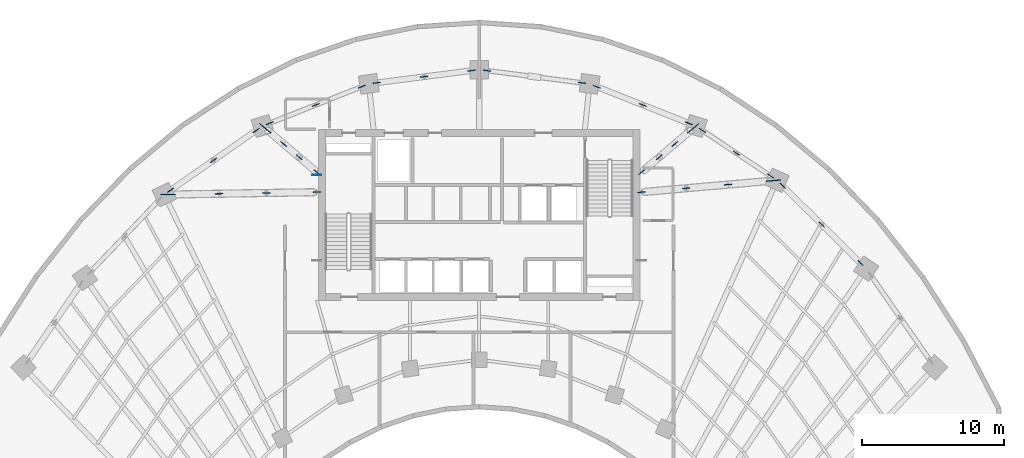
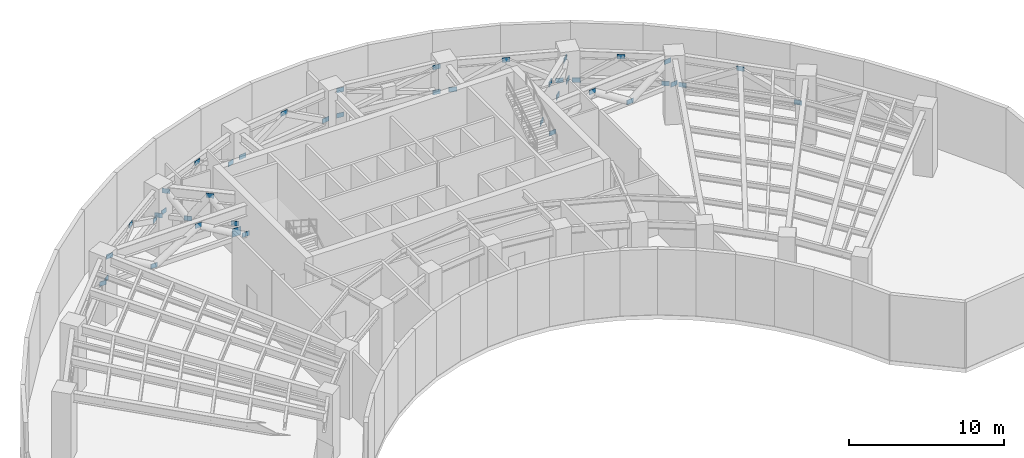
# One storey, part 5 of 10: 43 plates.
"""IFC4 building model written with IfcOpenShell, lengths in metres."""

from ifc_helpers import new_model, si_unit, direction, frame, origin, origin_2d, place, context, subcontext, project, spatial, rectangle, extrude, source, transform, mapped, material, layer, layer_set, type_object, type_shapes, element, save


model = new_model("IFC4")

# Units and contexts
model_context = context("Model", 3, precision=1e-05, world=origin(), true_north=direction((0.0, 1.0)))
body_context = subcontext(model_context, "Body", "Model", "MODEL_VIEW")
ifc_project = project(units=[si_unit("LENGTHUNIT", "METRE"), si_unit("AREAUNIT", "SQUARE_METRE"), si_unit("VOLUMEUNIT", "CUBIC_METRE"), si_unit("PLANEANGLEUNIT", "RADIAN"), si_unit("MASSUNIT", "GRAM", prefix="KILO")], contexts=[model_context])

# Site, building, storey
site_placement = place(None, origin())
site = spatial("IfcSite", under=ifc_project, at=site_placement, CompositionType="ELEMENT")
building_placement = place(site_placement, origin())
building = spatial("IfcBuilding", under=site, at=building_placement, Name="Breltana Convention Tower", CompositionType="ELEMENT")
storey_placement = place(building_placement, frame((0.0, 0.0, 85.800048828125)))
storey = spatial("IfcBuildingStorey", under=building, at=storey_placement, Name="L20", CompositionType="ELEMENT", Elevation=85.800048828125)

# Plates
ifc_material = material(Name="Steel S355", Category="steel")
ifc_layer_1 = layer(ifc_material, 0.0400390625, Name="Steel S355")
ifc_layer_set_1 = layer_set([ifc_layer_1], Name="Steel S355")
plate_type_1 = type_object("IfcPlateType", Name="PL-GUSSET-40", PredefinedType="USERDEFINED", material=ifc_layer_set_1)
shared_shape_1 = source(origin(), body_context, "Body", "SweptSolid", [
    extrude(rectangle(XDim=0.52001953125, YDim=0.0400390625, at=origin_2d()), origin(), (0.0, 0.0, 1.0), 0.360107421875),
])
for number, where, z_axis, x_axis, name in (
    (1, (36.60009765625, 67.800048828125, 2.56982421875), (0.0, 0.0, 1.0), (-0.999868271089, -0.016230849315, 0.0), "L20 Structural Brace Node Gusset Plate 001"),
    (2, (25.8876953125, 67.626953125, 2.56982421875), (0.0, 0.0, 1.0), (-0.999868271089, -0.016230849315, 0.0), "L20 Structural Brace Node Gusset Plate 002"),
    (3, (33.0625, 67.742919921875, 4.5419921875), (0.0, 0.0, 1.0), (-0.999868271089, -0.016230849315, 0.0), "L20 Structural Brace Node Gusset Plate 003"),
    (4, (29.72509765625, 67.68896484375, 2.56982421875), (0.0, 0.0, 1.0), (-0.999868271089, -0.016230849315, 0.0), "L20 Structural Brace Node Gusset Plate 004"),
    (5, (26.3876953125, 67.635009765625, 4.5419921875), (0.0, 0.0, 1.0), (-0.999868271089, -0.016230849315, 0.0), "L20 Structural Brace Node Gusset Plate 005"),
    (6, (36.60009765625, 69.199951171875, 2.56982421875), (0.0, 0.0, 1.0), (-0.761425177676, 0.648252804699, 0.0), "L20 Structural Brace Node Gusset Plate 006"),
    (7, (32.791015625, 72.4423828125, 2.56982421875), (0.0, 0.0, 1.0), (-0.761425177676, 0.648252804699, 0.0), "L20 Structural Brace Node Gusset Plate 007"),
    (8, (35.355712890625, 70.25927734375, 4.5419921875), (0.0, 0.0, 1.0), (-0.761425177676, 0.648252804699, 0.0), "L20 Structural Brace Node Gusset Plate 008"),
    (9, (34.263671875, 71.188720703125, 2.56982421875), (0.0, 0.0, 1.0), (-0.761425177676, 0.648252804699, 0.0), "L20 Structural Brace Node Gusset Plate 009"),
    (10, (33.171630859375, 72.118408203125, 4.5419921875), (0.0, 0.0, 1.0), (-0.761425177676, 0.648252804699, 0.0), "L20 Structural Brace Node Gusset Plate 010"),
    (11, (59.39990234375, 69.199951171875, 2.56982421875), (0.0, 0.0, 1.0), (0.761425177676, 0.648252804699, 0.0), "L20 Structural Brace Node Gusset Plate 011"),
    (12, (63.208984375, 72.4423828125, 2.56982421875), (0.0, 0.0, 1.0), (0.761425177676, 0.648252804699, 0.0), "L20 Structural Brace Node Gusset Plate 012"),
    (13, (60.644287109375, 70.25927734375, 4.5419921875), (0.0, 0.0, 1.0), (0.761425177676, 0.648252804699, 0.0), "L20 Structural Brace Node Gusset Plate 013"),
    (14, (61.736328125, 71.188720703125, 2.56982421875), (0.0, 0.0, 1.0), (0.761425177676, 0.648252804699, 0.0), "L20 Structural Brace Node Gusset Plate 014"),
    (15, (62.828369140625, 72.118408203125, 4.5419921875), (0.0, 0.0, 1.0), (0.761425177676, 0.648252804699, 0.0), "L20 Structural Brace Node Gusset Plate 015"),
    (16, (59.39990234375, 67.800048828125, 2.56982421875), (0.0, 0.0, 1.0), (0.996179471372, 0.087329610194, 0.0), "L20 Structural Brace Node Gusset Plate 016"),
    (17, (68.910400390625, 68.63330078125, 2.56982421875), (0.0, 0.0, 1.0), (0.996179471372, 0.087329610194, 0.0), "L20 Structural Brace Node Gusset Plate 017"),
    (18, (62.537109375, 68.074951171875, 4.5419921875), (0.0, 0.0, 1.0), (0.996179471372, 0.087329610194, 0.0), "L20 Structural Brace Node Gusset Plate 018"),
    (19, (65.474609375, 68.332275390625, 2.56982421875), (0.0, 0.0, 1.0), (0.996179471372, 0.087329610194, 0.0), "L20 Structural Brace Node Gusset Plate 019"),
    (20, (68.412353515625, 68.589599609375, 4.5419921875), (0.0, 0.0, 1.0), (0.996179471372, 0.087329610194, 0.0), "L20 Structural Brace Node Gusset Plate 020"),
    (21, (26.3388671875, 67.941650390625, 2.56982421875), (0.0, 0.0, 1.0), (0.820151875874, 0.572145873446, 0.0), "L20 Structural Brace Node Gusset Plate 027"),
    (22, (29.33935546875, 70.034912109375, 4.5419921875), (0.0, 0.0, 1.0), (0.820151875874, 0.572145873446, 0.0), "L20 Structural Brace Node Gusset Plate 028"),
    (23, (32.33984375, 72.127685546875, 2.56982421875), (0.0, 0.0, 1.0), (0.820151875874, 0.572145873446, 0.0), "L20 Structural Brace Node Gusset Plate 029"),
    (24, (33.30224609375, 72.6455078125, 2.56982421875), (0.0, 0.0, 1.0), (0.929454882621, 0.36893579546, 0.0), "L20 Structural Brace Node Gusset Plate 030"),
    (25, (36.522216796875, 73.923583984375, 4.5419921875), (0.0, 0.0, 1.0), (0.929454882621, 0.36893579546, 0.0), "L20 Structural Brace Node Gusset Plate 031"),
    (26, (39.741943359375, 75.201416015625, 2.56982421875), (0.0, 0.0, 1.0), (0.929454882621, 0.36893579546, 0.0), "L20 Structural Brace Node Gusset Plate 032"),
    (27, (40.798583984375, 75.474853515625, 2.56982421875), (0.0, 0.0, 1.0), (0.99178318013, 0.127930151302, 0.0), "L20 Structural Brace Node Gusset Plate 033"),
    (28, (44.126708984375, 75.904296875, 4.5419921875), (0.0, 0.0, 1.0), (0.99178318013, 0.127930151302, 0.0), "L20 Structural Brace Node Gusset Plate 034"),
    (29, (47.45458984375, 76.33349609375, 2.56982421875), (0.0, 0.0, 1.0), (0.99178318013, 0.127930151302, 0.0), "L20 Structural Brace Node Gusset Plate 035"),
    (30, (48.54541015625, 76.33349609375, 4.5419921875), (0.0, 0.0, 1.0), (0.99178318013, -0.127930151302, 0.0), "L20 Structural Brace Node Gusset Plate 036"),
    (31, (55.201416015625, 75.474853515625, 2.56982421875), (0.0, 0.0, 1.0), (0.99178318013, -0.127930151302, 0.0), "L20 Structural Brace Node Gusset Plate 037"),
    (32, (48.54541015625, 76.33349609375, 2.56982421875), (0.0, 0.0, 1.0), (0.99178318013, -0.127930151302, 0.0), "L20 Structural Brace Node Gusset Plate 038"),
    (33, (55.201416015625, 75.474853515625, 4.5419921875), (0.0, 0.0, 1.0), (0.99178318013, -0.127930151302, 0.0), "L20 Structural Brace Node Gusset Plate 039"),
    (34, (56.258056640625, 75.201416015625, 2.56982421875), (0.0, 0.0, 1.0), (0.929454882621, -0.36893579546, 0.0), "L20 Structural Brace Node Gusset Plate 040"),
    (35, (59.477783203125, 73.923583984375, 4.5419921875), (0.0, 0.0, 1.0), (0.929454882621, -0.36893579546, 0.0), "L20 Structural Brace Node Gusset Plate 041"),
    (36, (62.69775390625, 72.6455078125, 2.56982421875), (0.0, 0.0, 1.0), (0.929454882621, -0.36893579546, 0.0), "L20 Structural Brace Node Gusset Plate 042"),
    (37, (63.666259765625, 72.136962890625, 2.56982421875), (0.0, 0.0, 1.0), (0.831469612303, -0.55557023302, 0.0), "L20 Structural Brace Node Gusset Plate 043"),
    (38, (66.059814453125, 70.537841796875, 4.5419921875), (0.0, 0.0, 1.0), (0.831469612303, -0.55557023302, 0.0), "L20 Structural Brace Node Gusset Plate 044"),
    (39, (68.453125, 68.938720703125, 2.56982421875), (0.0, 0.0, 1.0), (0.831469612303, -0.55557023302, 0.0), "L20 Structural Brace Node Gusset Plate 045"),
    (40, (69.301025390625, 68.24609375, 2.56982421875), (0.0, 0.0, 1.0), (0.710062491058, -0.704138664464, 0.0), "L20 Structural Brace Node Gusset Plate 046"),
    (41, (72.03857421875, 65.53173828125, 4.5419921875), (0.0, 0.0, 1.0), (0.710062491058, -0.704138664464, 0.0), "L20 Structural Brace Node Gusset Plate 047"),
    (42, (74.776123046875, 62.8173828125, 2.56982421875), (0.0, 0.0, 1.0), (0.710062491058, -0.704138664464, 0.0), "L20 Structural Brace Node Gusset Plate 048"),
):
    element("IfcPlate", number, at=place(storey_placement, frame(where, z_axis=z_axis, x_axis=x_axis)), inside=storey, type_object=plate_type_1, Name=name, ObjectType="GUSSET_PLATE", PredefinedType="USERDEFINED", context=body_context, shape_type="MappedRepresentation", body=[
        mapped(shared_shape_1, transform((0.0, 0.0, 0.0), scale=1.0)),
    ])
ifc_layer_2 = layer(ifc_material, 0.031982421875, Name="Steel S355")
ifc_layer_set_2 = layer_set([ifc_layer_2], Name="Steel S355")
plate_type_2 = type_object("IfcPlateType", Name="PL-SPLICE-32", PredefinedType="SHEET", material=ifc_layer_set_2)
shared_shape_2 = source(origin(), body_context, "Body", "SweptSolid", [
    extrude(rectangle(XDim=0.64990234375, YDim=0.031982421875, at=origin_2d()), origin(), (0.0, 0.0, 1.0), 0.64990234375),
])
type_shapes(plate_type_2, [shared_shape_2])
plate_placement = place(storey_placement, frame((36.60009765625, 69.0, 1.875), z_axis=(0.0, 0.0, 1.0), x_axis=(1.0, 0.0, 0.0)))
element("IfcPlate", 43, at=plate_placement, inside=storey, type_object=plate_type_2, Name="L20 outrigger bolted flange splice plate 2", PredefinedType="SHEET", context=body_context, shape_type="MappedRepresentation", body=[
    mapped(shared_shape_2, transform((0.0, 0.0, 0.0), scale=1.0)),
])

save(model, "model.ifc")
